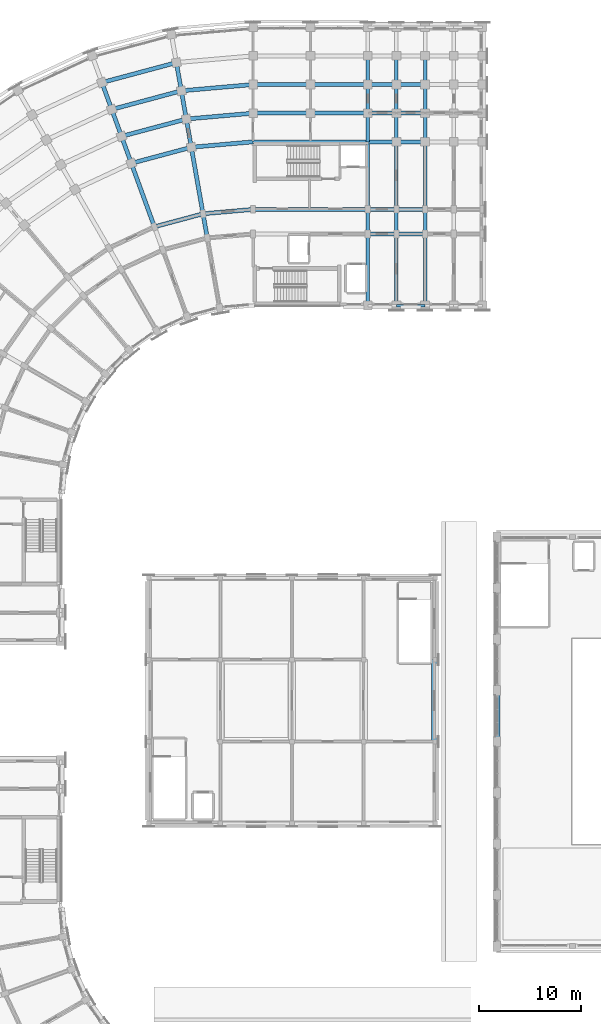
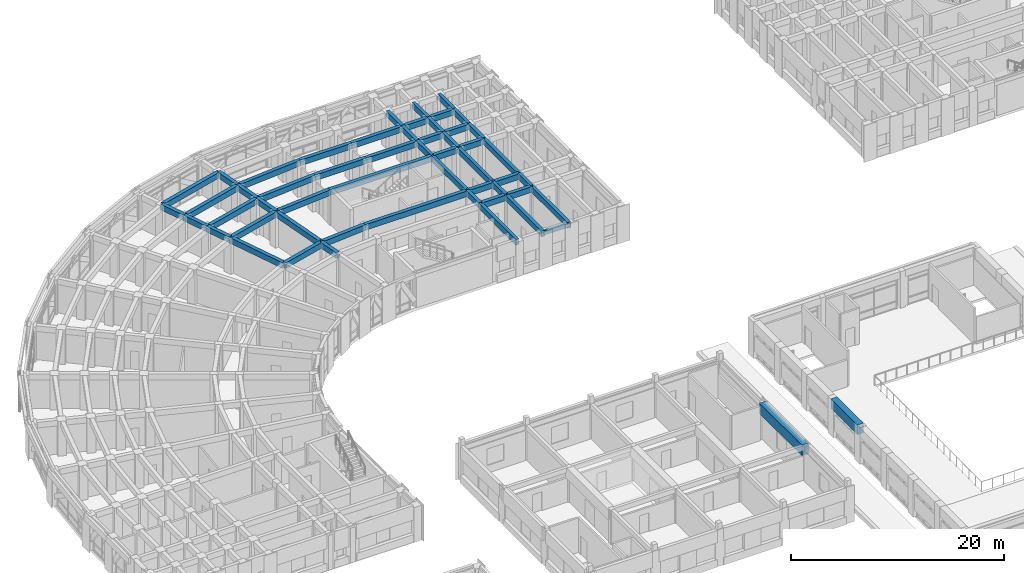
# One storey, part 25 of 97: 55 beams.
"""IFC4 building model written with IfcOpenShell, lengths in metres."""

from ifc_helpers import new_model, si_unit, direction, frame, origin, origin_2d, place, context, subcontext, project, spatial, rectangle, extrude, material, material_profile, profile_set, type_object, element, save


model = new_model("IFC4")

# Units and contexts
model_context = context("Model", 3, precision=1e-05, world=origin(), true_north=direction((0.0, 1.0)))
body_context = subcontext(model_context, "Body", "Model", "MODEL_VIEW")
ifc_project = project(units=[si_unit("LENGTHUNIT", "METRE"), si_unit("AREAUNIT", "SQUARE_METRE"), si_unit("VOLUMEUNIT", "CUBIC_METRE"), si_unit("PLANEANGLEUNIT", "RADIAN"), si_unit("MASSUNIT", "GRAM", prefix="KILO")], contexts=[model_context])

# Site, building, storey
site_placement = place(None, origin())
site = spatial("IfcSite", under=ifc_project, at=site_placement, CompositionType="ELEMENT")
building_placement = place(site_placement, origin())
building = spatial("IfcBuilding", under=site, at=building_placement, Name="Kiranvali Square Residences", CompositionType="ELEMENT")
storey_placement = place(building_placement, frame((0.0, 0.0, 4.5)))
storey = spatial("IfcBuildingStorey", under=building, at=storey_placement, Name="L01", CompositionType="ELEMENT", Elevation=4.5)

# Beams
ifc_material_1 = material(Name="Concrete M40 (40 MPa)", Category="concrete")
ifc_material_profile_1 = material_profile(ifc_material_1, rectangle(XDim=0.35009765625, YDim=0.64990234375, at=origin_2d()), Name="RC 350x650")
ifc_profile_set_1 = profile_set([ifc_material_profile_1], Name="Concrete M40 (40 MPa)")
beam_type_1 = type_object("IfcBeamType", Name="BM-M40-350x650", PredefinedType="BEAM", material=ifc_profile_set_1)
beam_1_placement = place(storey_placement, frame((59.39990234375, 106.60009765625, 3.655029296875), z_axis=(0.0, 1.0, 0.0), x_axis=(-1.0, 0.0, 0.0)))
element("IfcBeam", 1, at=beam_1_placement, inside=storey, type_object=beam_type_1, Name="L01 beam BM-A-L01-A1T1-01", PredefinedType="BEAM", context=body_context, shape_type="SweptSolid", body=[
    extrude(rectangle(XDim=0.35009765625, YDim=0.64990234375, at=origin_2d()), origin(), (0.0, 0.0, 1.0), 7.0),
])
beam_2_placement = place(storey_placement, frame((59.39990234375, 113.60009765625, 3.655029296875), z_axis=(0.0, 1.0, 0.0), x_axis=(-1.0, 0.0, 0.0)))
element("IfcBeam", 2, at=beam_2_placement, inside=storey, type_object=beam_type_1, Name="L01 beam BM-A-L01-A1T1-12", PredefinedType="BEAM", context=body_context, shape_type="SweptSolid", body=[
    extrude(rectangle(XDim=0.35009765625, YDim=0.64990234375, at=origin_2d()), origin(), (0.0, 0.0, 1.0), 2.39990234375),
])
beam_3_placement = place(storey_placement, frame((59.39990234375, 116.0, 3.655029296875), z_axis=(0.0, 1.0, 0.0), x_axis=(-1.0, 0.0, 0.0)))
element("IfcBeam", 3, at=beam_3_placement, inside=storey, type_object=beam_type_1, Name="L01 beam BM-A-L01-A1T1-23", PredefinedType="BEAM", context=body_context, shape_type="SweptSolid", body=[
    extrude(rectangle(XDim=0.35009765625, YDim=0.64990234375, at=origin_2d()), origin(), (0.0, 0.0, 1.0), 6.60009765625),
])
beam_4_placement = place(storey_placement, frame((59.39990234375, 122.60009765625, 3.655029296875), z_axis=(0.0, 1.0, 0.0), x_axis=(-1.0, 0.0, 0.0)))
element("IfcBeam", 4, at=beam_4_placement, inside=storey, type_object=beam_type_1, Name="L01 beam BM-A-L01-A1T1-34", PredefinedType="BEAM", context=body_context, shape_type="SweptSolid", body=[
    extrude(rectangle(XDim=0.35009765625, YDim=0.64990234375, at=origin_2d()), origin(), (0.0, 0.0, 1.0), 2.7998046875),
])
for number, where, z_axis, x_axis, name in (
    (5, (59.39990234375, 125.39990234375, 3.655029296875), (0.0, 1.0, 0.0), (-1.0, 0.0, 0.0), "L01 beam BM-A-L01-A1T1-45"),
    (6, (59.39990234375, 128.199951171875, 3.655029296875), (0.0, 1.0, 0.0), (-1.0, 0.0, 0.0), "L01 beam BM-A-L01-A1T1-56"),
):
    element("IfcBeam", number, at=place(storey_placement, frame(where, z_axis=z_axis, x_axis=x_axis)), inside=storey, type_object=beam_type_1, Name=name, PredefinedType="BEAM", context=body_context, shape_type="SweptSolid", body=[
        extrude(rectangle(XDim=0.35009765625, YDim=0.64990234375, at=origin_2d()), origin(), (0.0, 0.0, 1.0), 2.800048828125),
    ])
beam_5_placement = place(storey_placement, frame((62.199951171875, 106.60009765625, 3.655029296875), z_axis=(0.0, 1.0, 0.0), x_axis=(-1.0, 0.0, 0.0)))
element("IfcBeam", 7, at=beam_5_placement, inside=storey, type_object=beam_type_1, Name="L01 beam BM-A-L01-A1T2-01", PredefinedType="BEAM", context=body_context, shape_type="SweptSolid", body=[
    extrude(rectangle(XDim=0.35009765625, YDim=0.64990234375, at=origin_2d()), origin(), (0.0, 0.0, 1.0), 7.0),
])
beam_6_placement = place(storey_placement, frame((62.199951171875, 113.60009765625, 3.655029296875), z_axis=(0.0, 1.0, 0.0), x_axis=(-1.0, 0.0, 0.0)))
element("IfcBeam", 8, at=beam_6_placement, inside=storey, type_object=beam_type_1, Name="L01 beam BM-A-L01-A1T2-12", PredefinedType="BEAM", context=body_context, shape_type="SweptSolid", body=[
    extrude(rectangle(XDim=0.35009765625, YDim=0.64990234375, at=origin_2d()), origin(), (0.0, 0.0, 1.0), 2.39990234375),
])
beam_7_placement = place(storey_placement, frame((62.199951171875, 116.0, 3.655029296875), z_axis=(0.0, 1.0, 0.0), x_axis=(-1.0, 0.0, 0.0)))
element("IfcBeam", 9, at=beam_7_placement, inside=storey, type_object=beam_type_1, Name="L01 beam BM-A-L01-A1T2-23", PredefinedType="BEAM", context=body_context, shape_type="SweptSolid", body=[
    extrude(rectangle(XDim=0.35009765625, YDim=0.64990234375, at=origin_2d()), origin(), (0.0, 0.0, 1.0), 6.60009765625),
])
beam_8_placement = place(storey_placement, frame((62.199951171875, 122.60009765625, 3.655029296875), z_axis=(0.0, 1.0, 0.0), x_axis=(-1.0, 0.0, 0.0)))
element("IfcBeam", 10, at=beam_8_placement, inside=storey, type_object=beam_type_1, Name="L01 beam BM-A-L01-A1T2-34", PredefinedType="BEAM", context=body_context, shape_type="SweptSolid", body=[
    extrude(rectangle(XDim=0.35009765625, YDim=0.64990234375, at=origin_2d()), origin(), (0.0, 0.0, 1.0), 2.7998046875),
])
for number, where, z_axis, x_axis, name in (
    (11, (62.199951171875, 125.39990234375, 3.655029296875), (0.0, 1.0, 0.0), (-1.0, 0.0, 0.0), "L01 beam BM-A-L01-A1T2-45"),
    (12, (62.199951171875, 128.199951171875, 3.655029296875), (0.0, 1.0, 0.0), (-1.0, 0.0, 0.0), "L01 beam BM-A-L01-A1T2-56"),
):
    element("IfcBeam", number, at=place(storey_placement, frame(where, z_axis=z_axis, x_axis=x_axis)), inside=storey, type_object=beam_type_1, Name=name, PredefinedType="BEAM", context=body_context, shape_type="SweptSolid", body=[
        extrude(rectangle(XDim=0.35009765625, YDim=0.64990234375, at=origin_2d()), origin(), (0.0, 0.0, 1.0), 2.800048828125),
    ])
beam_9_placement = place(storey_placement, frame((65.0, 106.60009765625, 3.655029296875), z_axis=(0.0, 1.0, 0.0), x_axis=(-1.0, 0.0, 0.0)))
element("IfcBeam", 13, at=beam_9_placement, inside=storey, type_object=beam_type_1, Name="L01 beam BM-A-L01-A1T3-01", PredefinedType="BEAM", context=body_context, shape_type="SweptSolid", body=[
    extrude(rectangle(XDim=0.35009765625, YDim=0.64990234375, at=origin_2d()), origin(), (0.0, 0.0, 1.0), 7.0),
])
beam_10_placement = place(storey_placement, frame((65.0, 113.60009765625, 3.655029296875), z_axis=(0.0, 1.0, 0.0), x_axis=(-1.0, 0.0, 0.0)))
element("IfcBeam", 14, at=beam_10_placement, inside=storey, type_object=beam_type_1, Name="L01 beam BM-A-L01-A1T3-12", PredefinedType="BEAM", context=body_context, shape_type="SweptSolid", body=[
    extrude(rectangle(XDim=0.35009765625, YDim=0.64990234375, at=origin_2d()), origin(), (0.0, 0.0, 1.0), 2.39990234375),
])
beam_11_placement = place(storey_placement, frame((65.0, 116.0, 3.655029296875), z_axis=(0.0, 1.0, 0.0), x_axis=(-1.0, 0.0, 0.0)))
element("IfcBeam", 15, at=beam_11_placement, inside=storey, type_object=beam_type_1, Name="L01 beam BM-A-L01-A1T3-23", PredefinedType="BEAM", context=body_context, shape_type="SweptSolid", body=[
    extrude(rectangle(XDim=0.35009765625, YDim=0.64990234375, at=origin_2d()), origin(), (0.0, 0.0, 1.0), 6.60009765625),
])
beam_12_placement = place(storey_placement, frame((65.0, 122.60009765625, 3.655029296875), z_axis=(0.0, 1.0, 0.0), x_axis=(-1.0, 0.0, 0.0)))
element("IfcBeam", 16, at=beam_12_placement, inside=storey, type_object=beam_type_1, Name="L01 beam BM-A-L01-A1T3-34", PredefinedType="BEAM", context=body_context, shape_type="SweptSolid", body=[
    extrude(rectangle(XDim=0.35009765625, YDim=0.64990234375, at=origin_2d()), origin(), (0.0, 0.0, 1.0), 2.7998046875),
])
for number, where, z_axis, x_axis, name in (
    (17, (65.0, 125.39990234375, 3.655029296875), (0.0, 1.0, 0.0), (-1.0, 0.0, 0.0), "L01 beam BM-A-L01-A1T3-45"),
    (18, (65.0, 128.199951171875, 3.655029296875), (0.0, 1.0, 0.0), (-1.0, 0.0, 0.0), "L01 beam BM-A-L01-A1T3-56"),
):
    element("IfcBeam", number, at=place(storey_placement, frame(where, z_axis=z_axis, x_axis=x_axis)), inside=storey, type_object=beam_type_1, Name=name, PredefinedType="BEAM", context=body_context, shape_type="SweptSolid", body=[
        extrude(rectangle(XDim=0.35009765625, YDim=0.64990234375, at=origin_2d()), origin(), (0.0, 0.0, 1.0), 2.800048828125),
    ])
ifc_material_2 = material(Name="Concrete M45 (45 MPa)", Category="concrete")
ifc_material_profile_2 = material_profile(ifc_material_2, rectangle(XDim=0.39990234375, YDim=0.64990234375, at=origin_2d()), Name="RC 400x650")
ifc_profile_set_2 = profile_set([ifc_material_profile_2], Name="Concrete M45 (45 MPa)")
beam_type_2 = type_object("IfcBeamType", Name="BM-M45-400x650", PredefinedType="BEAM", material=ifc_profile_set_2)
beam_13_placement = place(storey_placement, frame((48.199951171875, 116.0, 3.655029296875), z_axis=(-0.996193663584, -0.087167566415, 0.0), x_axis=(0.087167566415, -0.996193663584, 0.0)))
element("IfcBeam", 19, at=beam_13_placement, inside=storey, type_object=beam_type_2, Name="L01 beam BM-A-L01-C00-R2", PredefinedType="BEAM", context=body_context, shape_type="SweptSolid", body=[
    extrude(rectangle(XDim=0.39990234375, YDim=0.64990234375, at=origin_2d()), origin(), (0.0, 0.0, 1.0), 4.91552734375),
])
beam_14_placement = place(storey_placement, frame((48.199951171875, 122.60009765625, 3.655029296875), z_axis=(-0.996193018494, -0.087174938512, 0.0), x_axis=(0.087174938512, -0.996193018494, 0.0)))
element("IfcBeam", 20, at=beam_14_placement, inside=storey, type_object=beam_type_2, Name="L01 beam BM-A-L01-C00-R3", PredefinedType="BEAM", context=body_context, shape_type="SweptSolid", body=[
    extrude(rectangle(XDim=0.39990234375, YDim=0.64990234375, at=origin_2d()), origin(), (0.0, 0.0, 1.0), 6.066162109375),
])
beam_15_placement = place(storey_placement, frame((48.199951171875, 125.39990234375, 3.655029296875), z_axis=(-0.996196991902, -0.0871295204, 0.0), x_axis=(0.0871295204, -0.996196991902, 0.0)))
element("IfcBeam", 21, at=beam_15_placement, inside=storey, type_object=beam_type_2, Name="L01 beam BM-A-L01-C00-R4", PredefinedType="BEAM", context=body_context, shape_type="SweptSolid", body=[
    extrude(rectangle(XDim=0.39990234375, YDim=0.64990234375, at=origin_2d()), origin(), (0.0, 0.0, 1.0), 6.553955078125),
])
beam_16_placement = place(storey_placement, frame((48.199951171875, 128.199951171875, 3.655029296875), z_axis=(-0.996194658198, -0.087156198737, 0.0), x_axis=(0.087156198737, -0.996194658198, 0.0)))
element("IfcBeam", 22, at=beam_16_placement, inside=storey, type_object=beam_type_2, Name="L01 beam BM-A-L01-C00-R5", PredefinedType="BEAM", context=body_context, shape_type="SweptSolid", body=[
    extrude(rectangle(XDim=0.39990234375, YDim=0.64990234375, at=origin_2d()), origin(), (0.0, 0.0, 1.0), 7.042236328125),
])
beam_17_placement = place(storey_placement, frame((43.30322265625, 115.571533203125, 3.655029296875), z_axis=(-0.965930095386, -0.258803112091, 0.0), x_axis=(0.258803112091, -0.965930095386, 0.0)))
element("IfcBeam", 23, at=beam_17_placement, inside=storey, type_object=beam_type_2, Name="L01 beam BM-A-L01-C01-R2", PredefinedType="BEAM", context=body_context, shape_type="SweptSolid", body=[
    extrude(rectangle(XDim=0.39990234375, YDim=0.64990234375, at=origin_2d()), origin(), (0.0, 0.0, 1.0), 4.915771484375),
])
beam_18_placement = place(storey_placement, frame((42.156982421875, 122.0712890625, 3.655029296875), z_axis=(-0.965923618901, -0.258827283048, 0.0), x_axis=(0.258827283048, -0.965923618901, 0.0)))
element("IfcBeam", 24, at=beam_18_placement, inside=storey, type_object=beam_type_2, Name="L01 beam BM-A-L01-C01-R3", PredefinedType="BEAM", context=body_context, shape_type="SweptSolid", body=[
    extrude(rectangle(XDim=0.39990234375, YDim=0.64990234375, at=origin_2d()), origin(), (0.0, 0.0, 1.0), 6.066162109375),
])
beam_19_placement = place(storey_placement, frame((41.6708984375, 124.828857421875, 3.655029296875), z_axis=(-0.965918287583, -0.258847178297, 0.0), x_axis=(0.258847178297, -0.965918287583, 0.0)))
element("IfcBeam", 25, at=beam_19_placement, inside=storey, type_object=beam_type_2, Name="L01 beam BM-A-L01-C01-R4", PredefinedType="BEAM", context=body_context, shape_type="SweptSolid", body=[
    extrude(rectangle(XDim=0.39990234375, YDim=0.64990234375, at=origin_2d()), origin(), (0.0, 0.0, 1.0), 6.55419921875),
])
beam_20_placement = place(storey_placement, frame((41.1845703125, 127.586181640625, 3.655029296875), z_axis=(-0.965931029817, -0.258799624492, 0.0), x_axis=(0.258799624492, -0.965931029817, 0.0)))
element("IfcBeam", 26, at=beam_20_placement, inside=storey, type_object=beam_type_2, Name="L01 beam BM-A-L01-C01-R5", PredefinedType="BEAM", context=body_context, shape_type="SweptSolid", body=[
    extrude(rectangle(XDim=0.39990234375, YDim=0.64990234375, at=origin_2d()), origin(), (0.0, 0.0, 1.0), 7.042236328125),
])
beam_21_placement = place(storey_placement, frame((40.698486328125, 130.34375, 3.655029296875), z_axis=(-0.965925909693, -0.258818733833, 0.0), x_axis=(0.258818733833, -0.965925909693, 0.0)))
element("IfcBeam", 27, at=beam_21_placement, inside=storey, type_object=beam_type_2, Name="L01 beam BM-A-L01-C01-R6", PredefinedType="BEAM", context=body_context, shape_type="SweptSolid", body=[
    extrude(rectangle(XDim=0.39990234375, YDim=0.64990234375, at=origin_2d()), origin(), (0.0, 0.0, 1.0), 7.5302734375),
])
beam_22_placement = place(storey_placement, frame((43.719970703125, 113.2080078125, 3.655029296875), z_axis=(-0.173646056486, 0.984808127031, 0.0), x_axis=(-0.984808127031, -0.173646056486, 0.0)))
element("IfcBeam", 28, at=beam_22_placement, inside=storey, type_object=beam_type_2, Name="L01 beam BM-A-L01-RAD01-12", PredefinedType="BEAM", context=body_context, shape_type="SweptSolid", body=[
    extrude(rectangle(XDim=0.39990234375, YDim=0.64990234375, at=origin_2d()), origin(), (0.0, 0.0, 1.0), 2.39990234375),
])
beam_23_placement = place(storey_placement, frame((43.30322265625, 115.571533203125, 3.655029296875), z_axis=(-0.173671381499, 0.984803661269, 0.0), x_axis=(-0.984803661269, -0.173671381499, 0.0)))
element("IfcBeam", 29, at=beam_23_placement, inside=storey, type_object=beam_type_2, Name="L01 beam BM-A-L01-RAD01-23", PredefinedType="BEAM", context=body_context, shape_type="SweptSolid", body=[
    extrude(rectangle(XDim=0.39990234375, YDim=0.64990234375, at=origin_2d()), origin(), (0.0, 0.0, 1.0), 6.60009765625),
])
beam_24_placement = place(storey_placement, frame((42.156982421875, 122.0712890625, 3.655029296875), z_axis=(-0.173596320392, 0.984816895441, 0.0), x_axis=(-0.984816895441, -0.173596320392, 0.0)))
element("IfcBeam", 30, at=beam_24_placement, inside=storey, type_object=beam_type_2, Name="L01 beam BM-A-L01-RAD01-34", PredefinedType="BEAM", context=body_context, shape_type="SweptSolid", body=[
    extrude(rectangle(XDim=0.39990234375, YDim=0.64990234375, at=origin_2d()), origin(), (0.0, 0.0, 1.0), 2.800048828125),
])
beam_25_placement = place(storey_placement, frame((41.6708984375, 124.828857421875, 3.655029296875), z_axis=(-0.173695795656, 0.984799355489, 0.0), x_axis=(-0.984799355489, -0.173695795656, 0.0)))
element("IfcBeam", 31, at=beam_25_placement, inside=storey, type_object=beam_type_2, Name="L01 beam BM-A-L01-RAD01-45", PredefinedType="BEAM", context=body_context, shape_type="SweptSolid", body=[
    extrude(rectangle(XDim=0.39990234375, YDim=0.64990234375, at=origin_2d()), origin(), (0.0, 0.0, 1.0), 2.7998046875),
])
beam_26_placement = place(storey_placement, frame((41.1845703125, 127.586181640625, 3.655029296875), z_axis=(-0.173596320392, 0.984816895441, 0.0), x_axis=(-0.984816895441, -0.173596320392, 0.0)))
element("IfcBeam", 32, at=beam_26_placement, inside=storey, type_object=beam_type_2, Name="L01 beam BM-A-L01-RAD01-56", PredefinedType="BEAM", context=body_context, shape_type="SweptSolid", body=[
    extrude(rectangle(XDim=0.39990234375, YDim=0.64990234375, at=origin_2d()), origin(), (0.0, 0.0, 1.0), 2.800048828125),
])
beam_27_placement = place(storey_placement, frame((38.554931640625, 114.29931640625, 3.655029296875), z_axis=(-0.342022238372, 0.939691858249, 0.0), x_axis=(-0.939691858249, -0.342022238372, 0.0)))
element("IfcBeam", 33, at=beam_27_placement, inside=storey, type_object=beam_type_2, Name="L01 beam BM-A-L01-RAD02-23", PredefinedType="BEAM", context=body_context, shape_type="SweptSolid", body=[
    extrude(rectangle(XDim=0.39990234375, YDim=0.64990234375, at=origin_2d()), origin(), (0.0, 0.0, 1.0), 6.599853515625),
])
beam_28_placement = place(storey_placement, frame((36.297607421875, 120.501220703125, 3.655029296875), z_axis=(-0.341981089711, 0.93970683422, 0.0), x_axis=(-0.93970683422, -0.341981089711, 0.0)))
element("IfcBeam", 34, at=beam_28_placement, inside=storey, type_object=beam_type_2, Name="L01 beam BM-A-L01-RAD02-34", PredefinedType="BEAM", context=body_context, shape_type="SweptSolid", body=[
    extrude(rectangle(XDim=0.39990234375, YDim=0.64990234375, at=origin_2d()), origin(), (0.0, 0.0, 1.0), 2.7998046875),
])
beam_29_placement = place(storey_placement, frame((35.340087890625, 123.13232421875, 3.655029296875), z_axis=(-0.342030060398, 0.939689011208, 0.0), x_axis=(-0.939689011208, -0.342030060398, 0.0)))
element("IfcBeam", 35, at=beam_29_placement, inside=storey, type_object=beam_type_2, Name="L01 beam BM-A-L01-RAD02-45", PredefinedType="BEAM", context=body_context, shape_type="SweptSolid", body=[
    extrude(rectangle(XDim=0.39990234375, YDim=0.64990234375, at=origin_2d()), origin(), (0.0, 0.0, 1.0), 2.80029296875),
])
beam_30_placement = place(storey_placement, frame((34.38232421875, 125.763671875, 3.655029296875), z_axis=(-0.341981089711, 0.93970683422, 0.0), x_axis=(-0.93970683422, -0.341981089711, 0.0)))
element("IfcBeam", 36, at=beam_30_placement, inside=storey, type_object=beam_type_2, Name="L01 beam BM-A-L01-RAD02-56", PredefinedType="BEAM", context=body_context, shape_type="SweptSolid", body=[
    extrude(rectangle(XDim=0.39990234375, YDim=0.64990234375, at=origin_2d()), origin(), (0.0, 0.0, 1.0), 2.7998046875),
])
for number, where, z_axis, x_axis, name in (
    (37, (59.39990234375, 113.60009765625, 3.655029296875), (1.0, 0.0, 0.0), (0.0, 1.0, 0.0), "L01 beam BM-A-L01-A1U1-R1"),
    (38, (62.199951171875, 113.60009765625, 3.655029296875), (1.0, 0.0, 0.0), (0.0, 1.0, 0.0), "L01 beam BM-A-L01-A1U2-R1"),
):
    element("IfcBeam", number, at=place(storey_placement, frame(where, z_axis=z_axis, x_axis=x_axis)), inside=storey, type_object=beam_type_2, Name=name, PredefinedType="BEAM", context=body_context, shape_type="SweptSolid", body=[
        extrude(rectangle(XDim=0.39990234375, YDim=0.64990234375, at=origin_2d()), origin(), (0.0, 0.0, 1.0), 2.800048828125),
    ])
beam_31_placement = place(storey_placement, frame((48.199951171875, 116.0, 3.655029296875), z_axis=(1.0, 0.0, 0.0), x_axis=(0.0, 1.0, 0.0)))
element("IfcBeam", 39, at=beam_31_placement, inside=storey, type_object=beam_type_2, Name="L01 beam BM-A-L01-A1U0-R2", PredefinedType="BEAM", context=body_context, shape_type="SweptSolid", body=[
    extrude(rectangle(XDim=0.39990234375, YDim=0.64990234375, at=origin_2d()), origin(), (0.0, 0.0, 1.0), 11.199951171875),
])
for number, where, z_axis, x_axis, name in (
    (40, (59.39990234375, 116.0, 3.655029296875), (1.0, 0.0, 0.0), (0.0, 1.0, 0.0), "L01 beam BM-A-L01-A1U1-R2"),
    (41, (62.199951171875, 116.0, 3.655029296875), (1.0, 0.0, 0.0), (0.0, 1.0, 0.0), "L01 beam BM-A-L01-A1U2-R2"),
):
    element("IfcBeam", number, at=place(storey_placement, frame(where, z_axis=z_axis, x_axis=x_axis)), inside=storey, type_object=beam_type_2, Name=name, PredefinedType="BEAM", context=body_context, shape_type="SweptSolid", body=[
        extrude(rectangle(XDim=0.39990234375, YDim=0.64990234375, at=origin_2d()), origin(), (0.0, 0.0, 1.0), 2.800048828125),
    ])
beam_32_placement = place(storey_placement, frame((48.199951171875, 122.60009765625, 3.655029296875), z_axis=(1.0, 0.0, 0.0), x_axis=(0.0, 1.0, 0.0)))
element("IfcBeam", 42, at=beam_32_placement, inside=storey, type_object=beam_type_2, Name="L01 beam BM-A-L01-A1U0-R3", PredefinedType="BEAM", context=body_context, shape_type="SweptSolid", body=[
    extrude(rectangle(XDim=0.39990234375, YDim=0.64990234375, at=origin_2d()), origin(), (0.0, 0.0, 1.0), 11.199951171875),
])
for number, where, z_axis, x_axis, name in (
    (43, (59.39990234375, 122.60009765625, 3.655029296875), (1.0, 0.0, 0.0), (0.0, 1.0, 0.0), "L01 beam BM-A-L01-A1U1-R3"),
    (44, (62.199951171875, 122.60009765625, 3.655029296875), (1.0, 0.0, 0.0), (0.0, 1.0, 0.0), "L01 beam BM-A-L01-A1U2-R3"),
):
    element("IfcBeam", number, at=place(storey_placement, frame(where, z_axis=z_axis, x_axis=x_axis)), inside=storey, type_object=beam_type_2, Name=name, PredefinedType="BEAM", context=body_context, shape_type="SweptSolid", body=[
        extrude(rectangle(XDim=0.39990234375, YDim=0.64990234375, at=origin_2d()), origin(), (0.0, 0.0, 1.0), 2.800048828125),
    ])
beam_33_placement = place(storey_placement, frame((48.199951171875, 125.39990234375, 3.655029296875), z_axis=(1.0, 0.0, 0.0), x_axis=(0.0, 1.0, 0.0)))
element("IfcBeam", 45, at=beam_33_placement, inside=storey, type_object=beam_type_2, Name="L01 beam BM-A-L01-A1U0-R4", PredefinedType="BEAM", context=body_context, shape_type="SweptSolid", body=[
    extrude(rectangle(XDim=0.39990234375, YDim=0.64990234375, at=origin_2d()), origin(), (0.0, 0.0, 1.0), 5.60009765625),
])
beam_34_placement = place(storey_placement, frame((53.800048828125, 125.39990234375, 3.655029296875), z_axis=(1.0, 0.0, 0.0), x_axis=(0.0, 1.0, 0.0)))
element("IfcBeam", 46, at=beam_34_placement, inside=storey, type_object=beam_type_2, Name="L01 beam BM-A-L01-A1U1-R4", PredefinedType="BEAM", context=body_context, shape_type="SweptSolid", body=[
    extrude(rectangle(XDim=0.39990234375, YDim=0.64990234375, at=origin_2d()), origin(), (0.0, 0.0, 1.0), 5.599853515625),
])
for number, where, z_axis, x_axis, name in (
    (47, (59.39990234375, 125.39990234375, 3.655029296875), (1.0, 0.0, 0.0), (0.0, 1.0, 0.0), "L01 beam BM-A-L01-A1U2-R4"),
    (48, (62.199951171875, 125.39990234375, 3.655029296875), (1.0, 0.0, 0.0), (0.0, 1.0, 0.0), "L01 beam BM-A-L01-A1U3-R4"),
):
    element("IfcBeam", number, at=place(storey_placement, frame(where, z_axis=z_axis, x_axis=x_axis)), inside=storey, type_object=beam_type_2, Name=name, PredefinedType="BEAM", context=body_context, shape_type="SweptSolid", body=[
        extrude(rectangle(XDim=0.39990234375, YDim=0.64990234375, at=origin_2d()), origin(), (0.0, 0.0, 1.0), 2.800048828125),
    ])
beam_35_placement = place(storey_placement, frame((48.199951171875, 128.199951171875, 3.655029296875), z_axis=(1.0, 0.0, 0.0), x_axis=(0.0, 1.0, 0.0)))
element("IfcBeam", 49, at=beam_35_placement, inside=storey, type_object=beam_type_2, Name="L01 beam BM-A-L01-A1U0-R5", PredefinedType="BEAM", context=body_context, shape_type="SweptSolid", body=[
    extrude(rectangle(XDim=0.39990234375, YDim=0.64990234375, at=origin_2d()), origin(), (0.0, 0.0, 1.0), 5.60009765625),
])
beam_36_placement = place(storey_placement, frame((53.800048828125, 128.199951171875, 3.655029296875), z_axis=(1.0, 0.0, 0.0), x_axis=(0.0, 1.0, 0.0)))
element("IfcBeam", 50, at=beam_36_placement, inside=storey, type_object=beam_type_2, Name="L01 beam BM-A-L01-A1U1-R5", PredefinedType="BEAM", context=body_context, shape_type="SweptSolid", body=[
    extrude(rectangle(XDim=0.39990234375, YDim=0.64990234375, at=origin_2d()), origin(), (0.0, 0.0, 1.0), 5.599853515625),
])
for number, where, z_axis, x_axis, name in (
    (51, (59.39990234375, 128.199951171875, 3.655029296875), (1.0, 0.0, 0.0), (0.0, 1.0, 0.0), "L01 beam BM-A-L01-A1U2-R5"),
    (52, (62.199951171875, 128.199951171875, 3.655029296875), (1.0, 0.0, 0.0), (0.0, 1.0, 0.0), "L01 beam BM-A-L01-A1U3-R5"),
):
    element("IfcBeam", number, at=place(storey_placement, frame(where, z_axis=z_axis, x_axis=x_axis)), inside=storey, type_object=beam_type_2, Name=name, PredefinedType="BEAM", context=body_context, shape_type="SweptSolid", body=[
        extrude(rectangle(XDim=0.39990234375, YDim=0.64990234375, at=origin_2d()), origin(), (0.0, 0.0, 1.0), 2.800048828125),
    ])
ifc_material_profile_3 = material_profile(ifc_material_2, rectangle(XDim=0.64990234375, YDim=1.10009765625, at=origin_2d()), Name="RC 650x1100")
ifc_profile_set_3 = profile_set([ifc_material_profile_3], Name="Concrete M45 (45 MPa)")
beam_type_3 = type_object("IfcBeamType", Name="BM-RING-650x1100", PredefinedType="BEAM", material=ifc_profile_set_3)
beam_37_placement = place(storey_placement, frame((72.0, 64.0, 3.64990234375), z_axis=(0.0, 1.0, 0.0), x_axis=(-1.0, 0.0, 0.0)))
element("IfcBeam", 53, at=beam_37_placement, inside=storey, type_object=beam_type_3, Name="Community Hall longitudinal vault ring beam W-5", PredefinedType="BEAM", context=body_context, shape_type="SweptSolid", body=[
    extrude(rectangle(XDim=0.64990234375, YDim=1.10009765625, at=origin_2d()), origin(), (0.0, 0.0, 1.0), 5.0),
])
ifc_material_profile_4 = material_profile(ifc_material_1, rectangle(XDim=0.25, YDim=0.449951171875, at=origin_2d()), Name="RC 250x450")
ifc_profile_set_4 = profile_set([ifc_material_profile_4], Name="Concrete M40 (40 MPa)")
beam_type_4 = type_object("IfcBeamType", Name="SPN-M40-250x450", PredefinedType="SPANDREL", material=ifc_profile_set_4)
beam_38_placement = place(storey_placement, frame((62.199951171875, 106.60009765625, 3.7548828125), z_axis=(1.0, 0.0, 0.0), x_axis=(0.0, 1.0, 0.0)))
element("IfcBeam", 54, at=beam_38_placement, inside=storey, type_object=beam_type_4, Name="L01 beam BM-A-L01-A1U2-R0", PredefinedType="SPANDREL", context=body_context, shape_type="SweptSolid", body=[
    extrude(rectangle(XDim=0.25, YDim=0.449951171875, at=origin_2d()), origin(), (0.0, 0.0, 1.0), 2.800048828125),
])
ifc_material_3 = material(Name="Concrete M50 (50 MPa)", Category="concrete")
ifc_material_profile_5 = material_profile(ifc_material_3, rectangle(XDim=0.699951171875, YDim=1.199951171875, at=origin_2d()), Name="RC 700x1200")
ifc_profile_set_5 = profile_set([ifc_material_profile_5], Name="Concrete M50 (50 MPa)")
beam_type_5 = type_object("IfcBeamType", Name="TG-M50-700x1200", PredefinedType="USERDEFINED", material=ifc_profile_set_5)
beam_39_placement = place(storey_placement, frame((66.0, 64.0, 3.39990234375), z_axis=(0.0, 1.0, 0.0), x_axis=(-1.0, 0.0, 0.0)))
element("IfcBeam", 55, at=beam_39_placement, inside=storey, type_object=beam_type_5, Name="Nursery Pavilion ridge king-post transfer girder 5", ObjectType="TRANSFER GIRDER", PredefinedType="USERDEFINED", context=body_context, shape_type="SweptSolid", body=[
    extrude(rectangle(XDim=0.699951171875, YDim=1.199951171875, at=origin_2d()), origin(), (0.0, 0.0, 1.0), 8.0),
])

save(model, "model.ifc")
